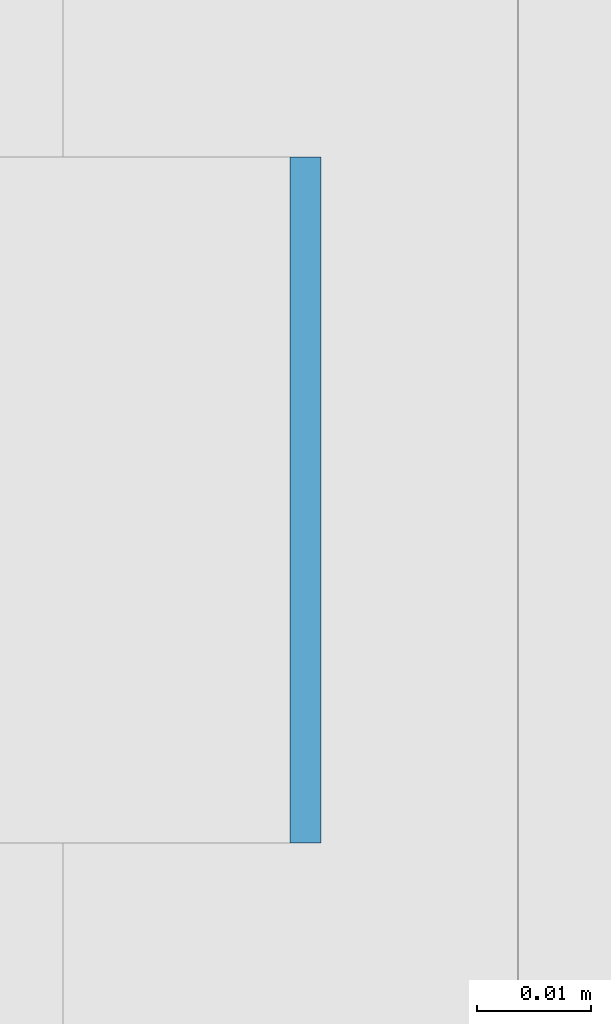
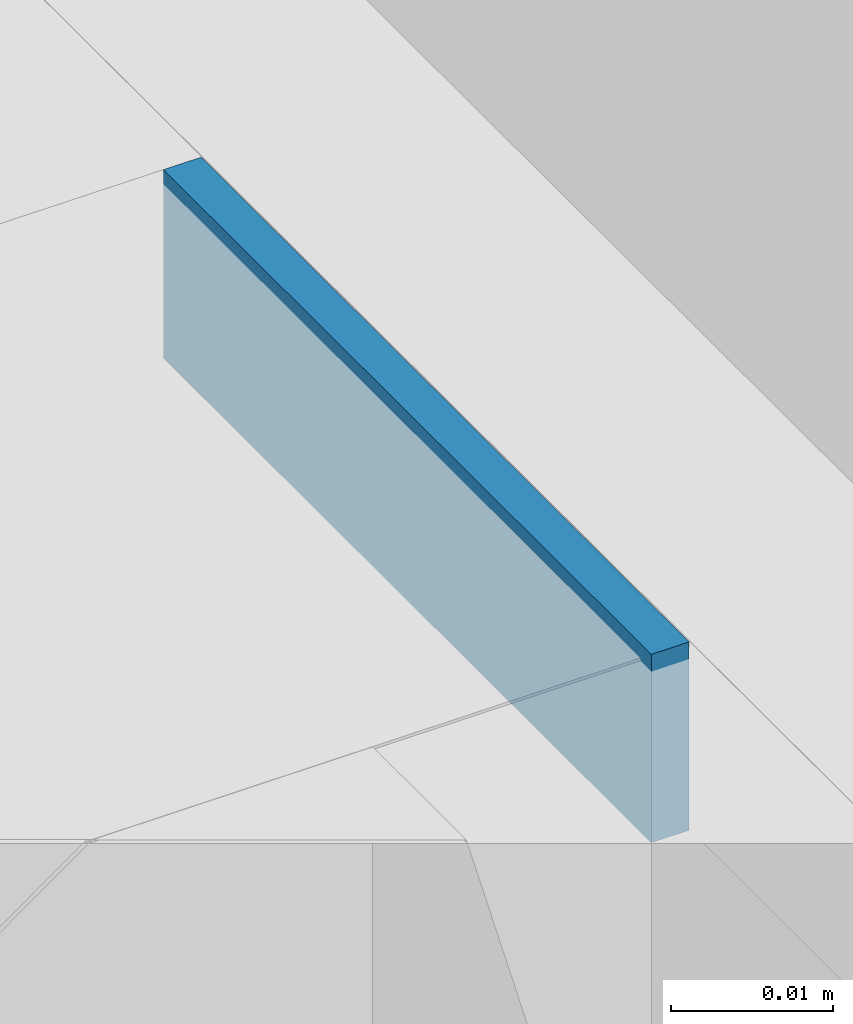
# One storey, part 321 of 646: 1 discrete accessory.
"""IFC4 building model written with IfcOpenShell, lengths in metres."""

from ifc_helpers import new_model, si_unit, direction, frame, origin, origin_2d, place, context, subcontext, project, spatial, rectangle, extrude, material, type_object, element, save


model = new_model("IFC4")

# Units and contexts
model_context = context("Model", 3, precision=1e-05, world=origin(), true_north=direction((0.0, 1.0)))
body_context = subcontext(model_context, "Body", "Model", "MODEL_VIEW")
ifc_project = project(units=[si_unit("LENGTHUNIT", "METRE"), si_unit("AREAUNIT", "SQUARE_METRE"), si_unit("VOLUMEUNIT", "CUBIC_METRE"), si_unit("PLANEANGLEUNIT", "RADIAN"), si_unit("MASSUNIT", "GRAM", prefix="KILO")], contexts=[model_context])

# Site, building, storey
site_placement = place(None, origin())
site = spatial("IfcSite", under=ifc_project, at=site_placement, CompositionType="ELEMENT")
building_placement = place(site_placement, origin())
building = spatial("IfcBuilding", under=site, at=building_placement, Name="Silverbay Arena", CompositionType="ELEMENT")
storey_placement = place(building_placement, frame((0.0, 0.0, 33.5)))
storey = spatial("IfcBuildingStorey", under=building, at=storey_placement, Name="L05", CompositionType="ELEMENT", Elevation=33.5)

# Discrete accessory
ifc_material = material(Name="Steel S355", Category="steel")
discrete_accessory_type = type_object("IfcDiscreteAccessoryType", Name="Steel bracket plate", PredefinedType="BRACKET", material=ifc_material)
discrete_accessory_placement = place(storey_placement, frame((53.871337890625, 74.571533203125, 12.98583984375), z_axis=(0.0, 0.0, 1.0), x_axis=(1.0, 0.0, 0.0)))
element("IfcDiscreteAccessory", 1, at=discrete_accessory_placement, inside=storey, type_object=discrete_accessory_type, Name="Curtain wall packing plate", PredefinedType="BRACKET", context=body_context, shape_type="SweptSolid", body=[
    extrude(rectangle(XDim=0.002685546875, YDim=0.06005859375, at=origin_2d()), origin(), (0.0, 0.0, 1.0), 0.01416015625),
])

save(model, "model.ifc")
